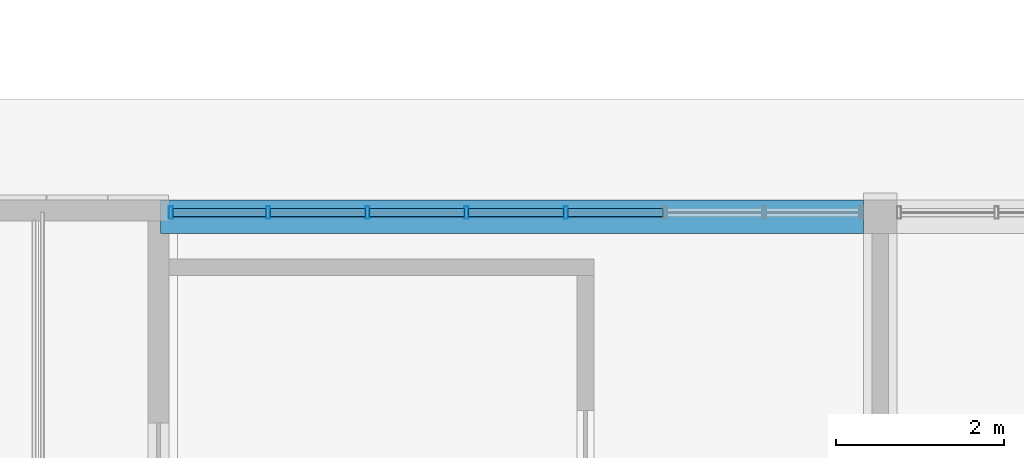
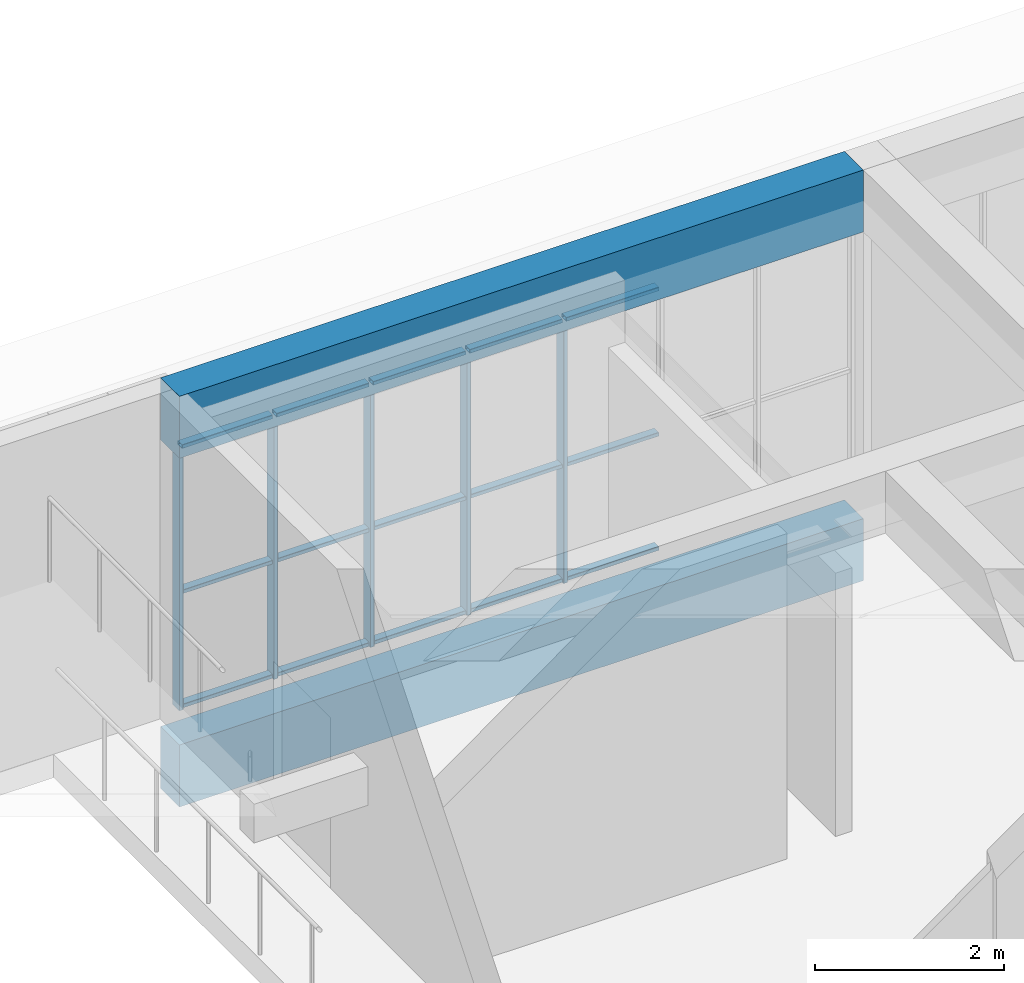
# One storey, part 10 of 92: 20 members, 2 beams, 1 element without a shape of its own.
"""IFC4 building model written with IfcOpenShell, lengths in metres."""

from ifc_helpers import new_model, si_unit, direction, frame, origin, origin_2d, place, context, subcontext, project, spatial, rectangle, hollow_rectangle, extrude, material, material_profile, profile_set, type_object, element, aggregate, save


model = new_model("IFC4")

# Units and contexts
model_context = context("Model", 3, precision=1e-05, world=origin(), true_north=direction((0.0, 1.0)))
body_context = subcontext(model_context, "Body", "Model", "MODEL_VIEW")
ifc_project = project(units=[si_unit("LENGTHUNIT", "METRE"), si_unit("AREAUNIT", "SQUARE_METRE"), si_unit("VOLUMEUNIT", "CUBIC_METRE"), si_unit("PLANEANGLEUNIT", "RADIAN"), si_unit("MASSUNIT", "GRAM", prefix="KILO")], contexts=[model_context])

# Site, building, storey
site_placement = place(None, origin())
site = spatial("IfcSite", under=ifc_project, at=site_placement, CompositionType="ELEMENT")
building_placement = place(site_placement, origin())
building = spatial("IfcBuilding", under=site, at=building_placement, Name="Sun Court Science Centre", CompositionType="ELEMENT")
storey_placement = place(building_placement, frame((0.0, 0.0, 11.25)))
storey = spatial("IfcBuildingStorey", under=building, at=storey_placement, Name="L02", CompositionType="ELEMENT", Elevation=11.25)

# Curtain wall, members
ifc_material_1 = material(Name="Aluminium EN AW-6063 T6", Category="aluminium")
curtain_wall_type = type_object("IfcCurtainWallType", Name="Pavilion curtain wall 1200", PredefinedType="NOTDEFINED", material=ifc_material_1)
curtain_wall_placement = place(storey_placement, origin())
curtain_wall = element("IfcCurtainWall", 1, at=curtain_wall_placement, inside=storey, type_object=curtain_wall_type, Name="Curtain wall V5 N L02 01", PredefinedType="NOTDEFINED")
ifc_material_2 = material(Name="Aluminium EN AW-6063 T6", Category="aluminium")
ifc_material_profile_1 = material_profile(ifc_material_2, hollow_rectangle(XDim=0.050048828125, YDim=0.14990234375, WallThickness=0.00390625, InnerFilletRadius=0.00390625, OuterFilletRadius=0.006103515625, at=origin_2d()), Name="AL 50x150x4")
ifc_profile_set_1 = profile_set([ifc_material_profile_1], Name="Aluminium EN AW-6063 T6")
member_type_1 = type_object("IfcMemberType", Name="Curtain wall mullion AL 50x150", PredefinedType="MULLION", material=ifc_profile_set_1)
member_1_placement = place(storey_placement, frame((42.574951171875, 49.85009765625, 0.0), z_axis=(0.0, 0.0, 1.0), x_axis=(1.0, 0.0, 0.0)))
member_1 = element("IfcMember", 2, at=member_1_placement, type_object=member_type_1, Name="CW3-17 mullion 1", PredefinedType="MULLION", context=body_context, shape_type="SweptSolid", body=[
    extrude(hollow_rectangle(XDim=0.050048828125, YDim=0.14990234375, WallThickness=0.00390625, InnerFilletRadius=0.00390625, OuterFilletRadius=0.006103515625, at=origin_2d()), origin(), (0.0, 0.0, 1.0), 3.39990234375),
])
member_2_placement = place(storey_placement, frame((43.728515625, 49.85009765625, 0.0), z_axis=(0.0, 0.0, 1.0), x_axis=(1.0, 0.0, 0.0)))
member_2 = element("IfcMember", 3, at=member_2_placement, type_object=member_type_1, Name="CW3-17 mullion 2", PredefinedType="MULLION", context=body_context, shape_type="SweptSolid", body=[
    extrude(hollow_rectangle(XDim=0.050048828125, YDim=0.14990234375, WallThickness=0.00390625, InnerFilletRadius=0.00390625, OuterFilletRadius=0.006103515625, at=origin_2d()), origin(), (0.0, 0.0, 1.0), 3.39990234375),
])
member_3_placement = place(storey_placement, frame((44.9072265625, 49.85009765625, 0.0), z_axis=(0.0, 0.0, 1.0), x_axis=(1.0, 0.0, 0.0)))
member_3 = element("IfcMember", 4, at=member_3_placement, type_object=member_type_1, Name="CW3-17 mullion 3", PredefinedType="MULLION", context=body_context, shape_type="SweptSolid", body=[
    extrude(hollow_rectangle(XDim=0.050048828125, YDim=0.14990234375, WallThickness=0.00390625, InnerFilletRadius=0.00390625, OuterFilletRadius=0.006103515625, at=origin_2d()), origin(), (0.0, 0.0, 1.0), 3.39990234375),
])
member_4_placement = place(storey_placement, frame((46.085693359375, 49.85009765625, 0.0), z_axis=(0.0, 0.0, 1.0), x_axis=(1.0, 0.0, 0.0)))
member_4 = element("IfcMember", 5, at=member_4_placement, type_object=member_type_1, Name="CW3-17 mullion 4", PredefinedType="MULLION", context=body_context, shape_type="SweptSolid", body=[
    extrude(hollow_rectangle(XDim=0.050048828125, YDim=0.14990234375, WallThickness=0.00390625, InnerFilletRadius=0.00390625, OuterFilletRadius=0.006103515625, at=origin_2d()), origin(), (0.0, 0.0, 1.0), 3.39990234375),
])
member_5_placement = place(storey_placement, frame((47.264404296875, 49.85009765625, 0.0), z_axis=(0.0, 0.0, 1.0), x_axis=(1.0, 0.0, 0.0)))
member_5 = element("IfcMember", 6, at=member_5_placement, type_object=member_type_1, Name="CW3-17 mullion 5", PredefinedType="MULLION", context=body_context, shape_type="SweptSolid", body=[
    extrude(hollow_rectangle(XDim=0.050048828125, YDim=0.14990234375, WallThickness=0.00390625, InnerFilletRadius=0.00390625, OuterFilletRadius=0.006103515625, at=origin_2d()), origin(), (0.0, 0.0, 1.0), 3.39990234375),
])
ifc_material_3 = material(Name="Aluminium EN AW-6063 T6", Category="aluminium")
ifc_material_profile_2 = material_profile(ifc_material_3, hollow_rectangle(XDim=0.050048828125, YDim=0.10009765625, WallThickness=0.00390625, InnerFilletRadius=0.00390625, OuterFilletRadius=0.006103515625, at=origin_2d()), Name="AL 50x100x4")
ifc_profile_set_2 = profile_set([ifc_material_profile_2], Name="Aluminium EN AW-6063 T6")
member_type_2 = type_object("IfcMemberType", Name="Curtain wall transom AL 50x100", PredefinedType="USERDEFINED", material=ifc_profile_set_2)
member_6_placement = place(storey_placement, frame((42.60009765625, 49.85009765625, 0.02490234375), z_axis=(1.0, 0.0, 0.0), x_axis=(0.0, 0.0, 1.0)))
member_6 = element("IfcMember", 7, at=member_6_placement, type_object=member_type_2, Name="CW3-17 transom 1.1", ObjectType="TRANSOM", PredefinedType="USERDEFINED", context=body_context, shape_type="SweptSolid", body=[
    extrude(hollow_rectangle(XDim=0.050048828125, YDim=0.10009765625, WallThickness=0.00390625, InnerFilletRadius=0.00390625, OuterFilletRadius=0.006103515625, at=origin_2d()), origin(), (0.0, 0.0, 1.0), 1.103515625),
])
member_7_placement = place(storey_placement, frame((43.753662109375, 49.85009765625, 0.02490234375), z_axis=(1.0, 0.0, 0.0), x_axis=(0.0, 0.0, 1.0)))
member_7 = element("IfcMember", 8, at=member_7_placement, type_object=member_type_2, Name="CW3-17 transom 2.1", ObjectType="TRANSOM", PredefinedType="USERDEFINED", context=body_context, shape_type="SweptSolid", body=[
    extrude(hollow_rectangle(XDim=0.050048828125, YDim=0.10009765625, WallThickness=0.00390625, InnerFilletRadius=0.00390625, OuterFilletRadius=0.006103515625, at=origin_2d()), origin(), (0.0, 0.0, 1.0), 1.12841796875),
])
member_8_placement = place(storey_placement, frame((44.93212890625, 49.85009765625, 0.02490234375), z_axis=(1.0, 0.0, 0.0), x_axis=(0.0, 0.0, 1.0)))
member_8 = element("IfcMember", 9, at=member_8_placement, type_object=member_type_2, Name="CW3-17 transom 3.1", ObjectType="TRANSOM", PredefinedType="USERDEFINED", context=body_context, shape_type="SweptSolid", body=[
    extrude(hollow_rectangle(XDim=0.050048828125, YDim=0.10009765625, WallThickness=0.00390625, InnerFilletRadius=0.00390625, OuterFilletRadius=0.006103515625, at=origin_2d()), origin(), (0.0, 0.0, 1.0), 1.128662109375),
])
member_9_placement = place(storey_placement, frame((46.110595703125, 49.85009765625, 0.02490234375), z_axis=(1.0, 0.0, 0.0), x_axis=(0.0, 0.0, 1.0)))
member_9 = element("IfcMember", 10, at=member_9_placement, type_object=member_type_2, Name="CW3-17 transom 4.1", ObjectType="TRANSOM", PredefinedType="USERDEFINED", context=body_context, shape_type="SweptSolid", body=[
    extrude(hollow_rectangle(XDim=0.050048828125, YDim=0.10009765625, WallThickness=0.00390625, InnerFilletRadius=0.00390625, OuterFilletRadius=0.006103515625, at=origin_2d()), origin(), (0.0, 0.0, 1.0), 1.128662109375),
])
member_10_placement = place(storey_placement, frame((47.289306640625, 49.85009765625, 0.02490234375), z_axis=(1.0, 0.0, 0.0), x_axis=(0.0, 0.0, 1.0)))
member_10 = element("IfcMember", 11, at=member_10_placement, type_object=member_type_2, Name="CW3-17 transom 5.1", ObjectType="TRANSOM", PredefinedType="USERDEFINED", context=body_context, shape_type="SweptSolid", body=[
    extrude(hollow_rectangle(XDim=0.050048828125, YDim=0.10009765625, WallThickness=0.00390625, InnerFilletRadius=0.00390625, OuterFilletRadius=0.006103515625, at=origin_2d()), origin(), (0.0, 0.0, 1.0), 1.128662109375),
])
member_11_placement = place(storey_placement, frame((42.60009765625, 49.85009765625, 1.5), z_axis=(1.0, 0.0, 0.0), x_axis=(0.0, 0.0, 1.0)))
member_11 = element("IfcMember", 12, at=member_11_placement, type_object=member_type_2, Name="CW3-17 transom 1.2", ObjectType="TRANSOM", PredefinedType="USERDEFINED", context=body_context, shape_type="SweptSolid", body=[
    extrude(hollow_rectangle(XDim=0.050048828125, YDim=0.10009765625, WallThickness=0.00390625, InnerFilletRadius=0.00390625, OuterFilletRadius=0.006103515625, at=origin_2d()), origin(), (0.0, 0.0, 1.0), 1.103515625),
])
member_12_placement = place(storey_placement, frame((43.753662109375, 49.85009765625, 1.5), z_axis=(1.0, 0.0, 0.0), x_axis=(0.0, 0.0, 1.0)))
member_12 = element("IfcMember", 13, at=member_12_placement, type_object=member_type_2, Name="CW3-17 transom 2.2", ObjectType="TRANSOM", PredefinedType="USERDEFINED", context=body_context, shape_type="SweptSolid", body=[
    extrude(hollow_rectangle(XDim=0.050048828125, YDim=0.10009765625, WallThickness=0.00390625, InnerFilletRadius=0.00390625, OuterFilletRadius=0.006103515625, at=origin_2d()), origin(), (0.0, 0.0, 1.0), 1.12841796875),
])
member_13_placement = place(storey_placement, frame((44.93212890625, 49.85009765625, 1.5), z_axis=(1.0, 0.0, 0.0), x_axis=(0.0, 0.0, 1.0)))
member_13 = element("IfcMember", 14, at=member_13_placement, type_object=member_type_2, Name="CW3-17 transom 3.2", ObjectType="TRANSOM", PredefinedType="USERDEFINED", context=body_context, shape_type="SweptSolid", body=[
    extrude(hollow_rectangle(XDim=0.050048828125, YDim=0.10009765625, WallThickness=0.00390625, InnerFilletRadius=0.00390625, OuterFilletRadius=0.006103515625, at=origin_2d()), origin(), (0.0, 0.0, 1.0), 1.128662109375),
])
member_14_placement = place(storey_placement, frame((46.110595703125, 49.85009765625, 1.5), z_axis=(1.0, 0.0, 0.0), x_axis=(0.0, 0.0, 1.0)))
member_14 = element("IfcMember", 15, at=member_14_placement, type_object=member_type_2, Name="CW3-17 transom 4.2", ObjectType="TRANSOM", PredefinedType="USERDEFINED", context=body_context, shape_type="SweptSolid", body=[
    extrude(hollow_rectangle(XDim=0.050048828125, YDim=0.10009765625, WallThickness=0.00390625, InnerFilletRadius=0.00390625, OuterFilletRadius=0.006103515625, at=origin_2d()), origin(), (0.0, 0.0, 1.0), 1.128662109375),
])
member_15_placement = place(storey_placement, frame((47.289306640625, 49.85009765625, 1.5), z_axis=(1.0, 0.0, 0.0), x_axis=(0.0, 0.0, 1.0)))
member_15 = element("IfcMember", 16, at=member_15_placement, type_object=member_type_2, Name="CW3-17 transom 5.2", ObjectType="TRANSOM", PredefinedType="USERDEFINED", context=body_context, shape_type="SweptSolid", body=[
    extrude(hollow_rectangle(XDim=0.050048828125, YDim=0.10009765625, WallThickness=0.00390625, InnerFilletRadius=0.00390625, OuterFilletRadius=0.006103515625, at=origin_2d()), origin(), (0.0, 0.0, 1.0), 1.128662109375),
])
member_16_placement = place(storey_placement, frame((42.60009765625, 49.85009765625, 3.375), z_axis=(1.0, 0.0, 0.0), x_axis=(0.0, 0.0, 1.0)))
member_16 = element("IfcMember", 17, at=member_16_placement, type_object=member_type_2, Name="CW3-17 transom 1.3", ObjectType="TRANSOM", PredefinedType="USERDEFINED", context=body_context, shape_type="SweptSolid", body=[
    extrude(hollow_rectangle(XDim=0.050048828125, YDim=0.10009765625, WallThickness=0.00390625, InnerFilletRadius=0.00390625, OuterFilletRadius=0.006103515625, at=origin_2d()), origin(), (0.0, 0.0, 1.0), 1.103515625),
])
member_17_placement = place(storey_placement, frame((43.753662109375, 49.85009765625, 3.375), z_axis=(1.0, 0.0, 0.0), x_axis=(0.0, 0.0, 1.0)))
member_17 = element("IfcMember", 18, at=member_17_placement, type_object=member_type_2, Name="CW3-17 transom 2.3", ObjectType="TRANSOM", PredefinedType="USERDEFINED", context=body_context, shape_type="SweptSolid", body=[
    extrude(hollow_rectangle(XDim=0.050048828125, YDim=0.10009765625, WallThickness=0.00390625, InnerFilletRadius=0.00390625, OuterFilletRadius=0.006103515625, at=origin_2d()), origin(), (0.0, 0.0, 1.0), 1.12841796875),
])
member_18_placement = place(storey_placement, frame((44.93212890625, 49.85009765625, 3.375), z_axis=(1.0, 0.0, 0.0), x_axis=(0.0, 0.0, 1.0)))
member_18 = element("IfcMember", 19, at=member_18_placement, type_object=member_type_2, Name="CW3-17 transom 3.3", ObjectType="TRANSOM", PredefinedType="USERDEFINED", context=body_context, shape_type="SweptSolid", body=[
    extrude(hollow_rectangle(XDim=0.050048828125, YDim=0.10009765625, WallThickness=0.00390625, InnerFilletRadius=0.00390625, OuterFilletRadius=0.006103515625, at=origin_2d()), origin(), (0.0, 0.0, 1.0), 1.128662109375),
])
member_19_placement = place(storey_placement, frame((46.110595703125, 49.85009765625, 3.375), z_axis=(1.0, 0.0, 0.0), x_axis=(0.0, 0.0, 1.0)))
member_19 = element("IfcMember", 20, at=member_19_placement, type_object=member_type_2, Name="CW3-17 transom 4.3", ObjectType="TRANSOM", PredefinedType="USERDEFINED", context=body_context, shape_type="SweptSolid", body=[
    extrude(hollow_rectangle(XDim=0.050048828125, YDim=0.10009765625, WallThickness=0.00390625, InnerFilletRadius=0.00390625, OuterFilletRadius=0.006103515625, at=origin_2d()), origin(), (0.0, 0.0, 1.0), 1.128662109375),
])
member_20_placement = place(storey_placement, frame((47.289306640625, 49.85009765625, 3.375), z_axis=(1.0, 0.0, 0.0), x_axis=(0.0, 0.0, 1.0)))
member_20 = element("IfcMember", 21, at=member_20_placement, type_object=member_type_2, Name="CW3-17 transom 5.3", ObjectType="TRANSOM", PredefinedType="USERDEFINED", context=body_context, shape_type="SweptSolid", body=[
    extrude(hollow_rectangle(XDim=0.050048828125, YDim=0.10009765625, WallThickness=0.00390625, InnerFilletRadius=0.00390625, OuterFilletRadius=0.006103515625, at=origin_2d()), origin(), (0.0, 0.0, 1.0), 1.128662109375),
])
aggregate(curtain_wall, [member_1, member_2, member_3, member_4, member_5, member_6, member_7, member_8, member_9, member_10, member_11, member_12, member_13, member_14, member_15, member_16, member_17, member_18, member_19, member_20])

# Beams
ifc_material_4 = material(Name="Concrete C25/30", Category="concrete")
ifc_material_profile_3 = material_profile(ifc_material_4, rectangle(XDim=0.39990234375, YDim=0.800048828125, at=origin_2d()), Name="RC 400x800")
ifc_profile_set_3 = profile_set([ifc_material_profile_3], Name="Concrete C25/30")
beam_type = type_object("IfcBeamType", Name="RC girder 400x800", PredefinedType="BEAM", material=ifc_profile_set_3)
for number, where, z_axis, x_axis, name in (
    (22, (42.449951171875, 49.800048828125, -0.699951171875), (1.0, 0.0, 0.0), (0.0, 1.0, 0.0), "Girder L02 row 2"),
    (23, (42.449951171875, 49.800048828125, 3.800048828125), (1.0, 0.0, 0.0), (0.0, 1.0, 0.0), "Girder L03 row 2"),
):
    element("IfcBeam", number, at=place(storey_placement, frame(where, z_axis=z_axis, x_axis=x_axis)), inside=storey, type_object=beam_type, Name=name, PredefinedType="BEAM", context=body_context, shape_type="SweptSolid", body=[
        extrude(rectangle(XDim=0.39990234375, YDim=0.800048828125, at=origin_2d()), origin(), (0.0, 0.0, 1.0), 8.35009765625),
    ])

save(model, "model.ifc")
